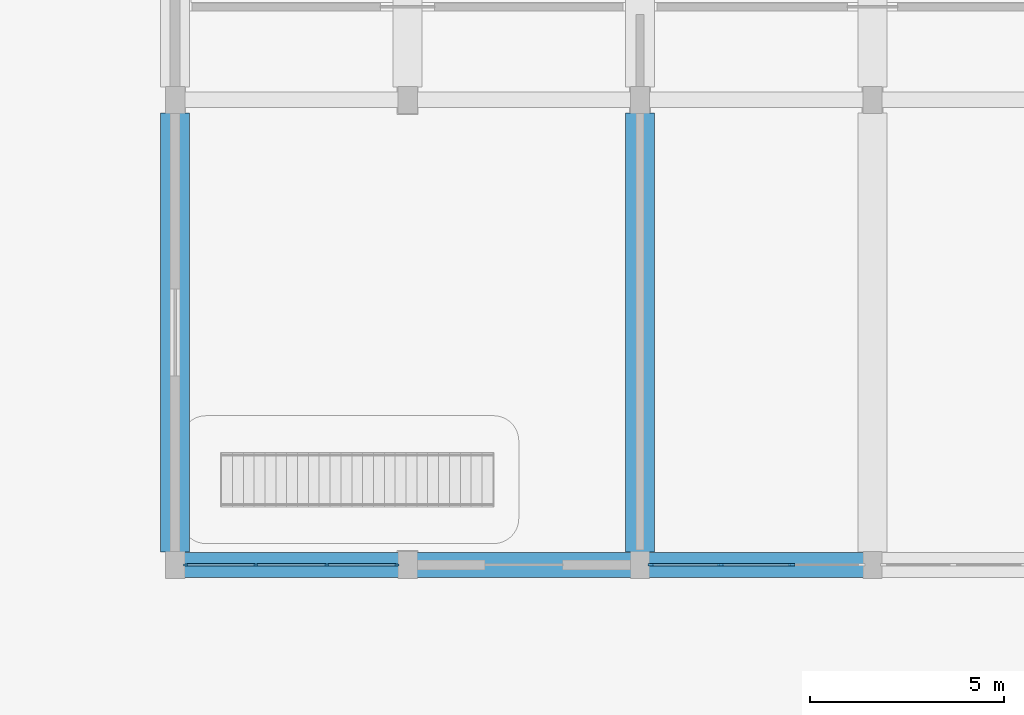
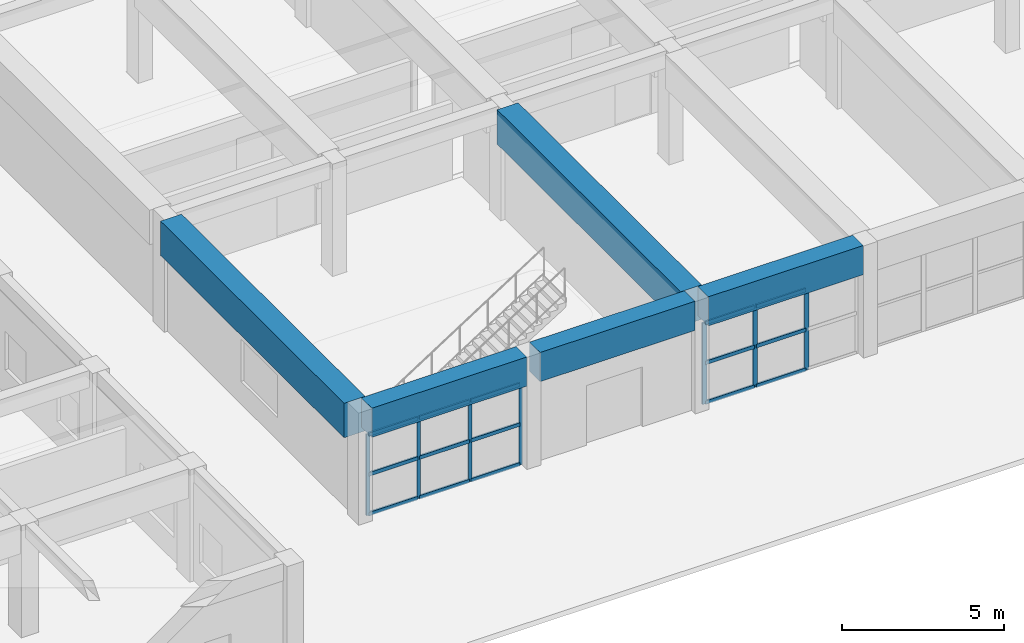
# One storey, part 30 of 76: 22 members, 5 beams, 2 elements without a shape of their own.
"""IFC4 building model written with IfcOpenShell, lengths in metres."""

import ifcopenshell
import ifcopenshell.guid

model = None  # the IFC model being written
_history = None  # IfcOwnerHistory: only IFC2X3 demands one
_inside = {}  # id of a spatial element -> (the spatial element, [elements in it])
_under = {}  # id of a project, library or spatial element -> (it, [spatial elements below it])
_declared = {}  # id of a project -> (the project, [libraries it declares])
_typed = {}  # id of a type object -> (the type object, [elements of that type])
_made_of = {}  # id of a material, layer set ... -> (it, [elements and type objects made of it])


def new_model(schema):
    """Start an empty IFC model of exactly this schema.

    Asked for "IFC4X3", IfcOpenShell would pick the latest addendum, in which some entities
    have other attributes; the version numbers below select the first issue.
    IFC2X3 requires an IfcOwnerHistory on every rooted entity: one is made here for all.
    """
    global model, _history
    if schema == "IFC4X3":
        model = ifcopenshell.file(schema_version=(4, 3, 0, 0))
    else:
        model = ifcopenshell.file(schema=schema)
    _inside.clear()
    _under.clear()
    _declared.clear()
    _typed.clear()
    _made_of.clear()
    _history = None
    if model.schema == "IFC2X3":
        org = make("IfcOrganization", Name="unknown")
        user = make(
            "IfcPersonAndOrganization",
            ThePerson=make("IfcPerson", FamilyName="unknown"),
            TheOrganization=org,
        )
        app = make(
            "IfcApplication",
            ApplicationDeveloper=org,
            Version="unknown",
            ApplicationFullName="unknown",
            ApplicationIdentifier="unknown",
        )
        _history = make(
            "IfcOwnerHistory",
            OwningUser=user,
            OwningApplication=app,
            ChangeAction="ADDED",
            CreationDate=0,
        )
    return model


def make(cls, **values):
    """One entity of the class cls with the attributes given. An attribute that is None is left unset."""
    return model.create_entity(
        cls, **{name: value for name, value in values.items() if value is not None}
    )


def rooted(cls, **values):
    """An entity with a GlobalId (a new one), such as an element, a storey or a relation."""
    return make(cls, GlobalId=ifcopenshell.guid.new(), OwnerHistory=_history, **values)


def si_unit(unit_type, name, prefix=None):
    """IfcSIUnit, for example si_unit("LENGTHUNIT", "METRE", prefix="MILLI")."""
    return make("IfcSIUnit", UnitType=unit_type, Prefix=prefix, Name=name)


def assignment(units):
    """IfcUnitAssignment: the units of a project."""
    return None if units is None else make("IfcUnitAssignment", Units=units)


def point(xyz):
    """IfcCartesianPoint."""
    return None if xyz is None else make("IfcCartesianPoint", Coordinates=xyz)


def direction(xyz):
    """IfcDirection."""
    return None if xyz is None else make("IfcDirection", DirectionRatios=xyz)


def frame(location, z_axis=None, x_axis=None):
    """IfcAxis2Placement3D, a coordinate frame: its origin and axes. An axis left out is left unset."""
    return make(
        "IfcAxis2Placement3D",
        Location=point(location),
        Axis=direction(z_axis),
        RefDirection=direction(x_axis),
    )


def frame_2d(location, x_axis=None):
    """IfcAxis2Placement2D, a coordinate frame in the plane: its origin and x axis."""
    return make(
        "IfcAxis2Placement2D", Location=point(location), RefDirection=direction(x_axis)
    )


def origin():
    """The frame at (0, 0, 0) with its axes left unset."""
    return frame((0.0, 0.0, 0.0))


def origin_2d():
    """The frame at (0, 0) in the plane with its x axis left unset."""
    return frame_2d((0.0, 0.0))


def place(relative_to, where):
    """IfcLocalPlacement: puts the frame where relative to a parent placement (None: the world)."""
    return make(
        "IfcLocalPlacement", PlacementRelTo=relative_to, RelativePlacement=where
    )


def context(
    kind, dimensions, precision=None, world=None, true_north=None, identifier=None
):
    """IfcGeometricRepresentationContext, for example the 3D "Model" context."""
    return make(
        "IfcGeometricRepresentationContext",
        ContextIdentifier=identifier,
        ContextType=kind,
        CoordinateSpaceDimension=dimensions,
        Precision=precision,
        WorldCoordinateSystem=world,
        TrueNorth=true_north,
    )


def subcontext(parent, identifier, kind, view, scale=None):
    """IfcGeometricRepresentationSubContext, for example "Body" below "Model"."""
    return make(
        "IfcGeometricRepresentationSubContext",
        ContextIdentifier=identifier,
        ContextType=kind,
        ParentContext=parent,
        TargetScale=scale,
        TargetView=view,
    )


def project(units=None, contexts=None):
    """IfcProject with its units and contexts."""
    return rooted(
        "IfcProject",
        Name="project",
        RepresentationContexts=contexts,
        UnitsInContext=assignment(units),
    )


def spatial(cls, under=None, at=None, **own):
    """A site, building, storey or space (cls), placed at a placement, below another one or the project."""
    s = rooted(cls, ObjectPlacement=at, **own)
    if under is not None:
        _under.setdefault(under.id(), (under, []))[1].append(s)
    return s


def profile(cls, at=None, kind="AREA", **sizes):
    """A parametric profile (cls). Its sizes go by their IFC names, for example OverallWidth=200.0."""
    return make(cls, ProfileType=kind, Position=at, **sizes)


def rectangle(**sizes):
    """IfcRectangleProfileDef."""
    return profile("IfcRectangleProfileDef", **sizes)


def extrude(swept, where, along, depth):
    """IfcExtrudedAreaSolid: the profile swept, set in the frame where, extruded along a direction by depth."""
    return make(
        "IfcExtrudedAreaSolid",
        SweptArea=swept,
        Position=where,
        ExtrudedDirection=direction(along),
        Depth=depth,
    )


def shape(context_of_items, identifier, shape_type, items):
    """IfcShapeRepresentation: the items that make up one representation, for example the "Body"."""
    return make(
        "IfcShapeRepresentation",
        ContextOfItems=context_of_items,
        RepresentationIdentifier=identifier,
        RepresentationType=shape_type,
        Items=items,
    )


def material(Name=None, Category=None):
    """IfcMaterial."""
    return make("IfcMaterial", Name=Name, Category=Category)


def layer(
    of_material, thickness, ventilated=None, Name=None, Category=None, Priority=None
):
    """IfcMaterialLayer: one layer of a wall or slab, of a material (None: an air gap)."""
    return make(
        "IfcMaterialLayer",
        Material=of_material,
        LayerThickness=thickness,
        IsVentilated=ventilated,
        Name=Name,
        Category=Category,
        Priority=Priority,
    )


def layer_set(layers, Name=None):
    """IfcMaterialLayerSet."""
    return make("IfcMaterialLayerSet", MaterialLayers=layers, LayerSetName=Name)


def material_profile(
    of_material, cross_section, Name=None, Category=None, Priority=None
):
    """IfcMaterialProfile: a cross section and its material."""
    return make(
        "IfcMaterialProfile",
        Name=Name,
        Material=of_material,
        Profile=cross_section,
        Priority=Priority,
        Category=Category,
    )


def profile_set(profiles, Name=None, composite=None):
    """IfcMaterialProfileSet."""
    return make(
        "IfcMaterialProfileSet",
        Name=Name,
        MaterialProfiles=profiles,
        CompositeProfile=composite,
    )


def made_of(thing, what):
    """Note that an element or type object is made of a material, layer set ...; save() writes the relation."""
    if what is not None:
        _made_of.setdefault(what.id(), (what, []))[1].append(thing)
    return thing


def type_object(cls, material=None, **own):
    """A type object (cls), such as IfcWallType, which elements share."""
    return made_of(rooted(cls, **own), material)


def element(
    cls,
    number,
    at=None,
    inside=None,
    cuts=None,
    type_object=None,
    material=None,
    context=None,
    identifier="Body",
    shape_type=None,
    held_by="IfcProductDefinitionShape",
    body=None,
    shapes=None,
    **own,
):
    """One element of the class cls, such as IfcWall. Its Tag is "e" and its number.

    at: its placement. inside: the storey or other place that contains it. cuts: it is an
    opening in that element (IfcRelVoidsElement). A single representation is given by context,
    identifier, shape_type and body (its items); several are given by shapes. held_by: the class
    of the entity that holds the representations. save() writes the other relations.
    """
    e = rooted(cls, Tag="e%d" % number, ObjectPlacement=at, **own)
    if body is not None:
        shapes = [shape(context, identifier, shape_type, body)]
    if shapes is not None:
        e.Representation = make(held_by, Representations=shapes)
    if inside is not None:
        _inside.setdefault(inside.id(), (inside, []))[1].append(e)
    if cuts is not None:
        rooted(
            "IfcRelVoidsElement", RelatingBuildingElement=cuts, RelatedOpeningElement=e
        )
    if type_object is not None:
        _typed.setdefault(type_object.id(), (type_object, []))[1].append(e)
    return made_of(e, material)


def aggregate(whole, parts):
    """IfcRelAggregates: a whole, such as a stair, and the parts it consists of."""
    return rooted("IfcRelAggregates", RelatingObject=whole, RelatedObjects=parts)


def save(model, path):
    """Write the relations noted so far, then the file.

    IfcRelAggregates (storeys below a building ...), IfcRelContainedInSpatialStructure (elements
    in a storey), IfcRelDefinesByType, IfcRelAssociatesMaterial and IfcRelDeclares: one each for
    every whole, place, type object, material and project.
    """
    for whole, parts in _under.values():
        aggregate(whole, parts)
    for where, things in _inside.values():
        rooted(
            "IfcRelContainedInSpatialStructure",
            RelatedElements=things,
            RelatingStructure=where,
        )
    for kind, things in _typed.values():
        rooted("IfcRelDefinesByType", RelatedObjects=things, RelatingType=kind)
    for what, things in _made_of.values():
        rooted("IfcRelAssociatesMaterial", RelatedObjects=things, RelatingMaterial=what)
    for by, libraries in _declared.values():
        rooted("IfcRelDeclares", RelatingContext=by, RelatedDefinitions=libraries)
    model.write(path)


model = new_model("IFC4")

# Units and contexts
model_context = context("Model", 3, precision=1e-05, world=origin(), true_north=direction((0.0, 1.0)))
body_context = subcontext(model_context, "Body", "Model", "MODEL_VIEW")
ifc_project = project(units=[si_unit("LENGTHUNIT", "METRE"), si_unit("AREAUNIT", "SQUARE_METRE"), si_unit("VOLUMEUNIT", "CUBIC_METRE"), si_unit("PLANEANGLEUNIT", "RADIAN"), si_unit("MASSUNIT", "GRAM", prefix="KILO"), si_unit("POWERUNIT", "WATT"), si_unit("THERMODYNAMICTEMPERATUREUNIT", "KELVIN")], contexts=[model_context])

# Site, building, storey
site_placement = place(None, origin())
site = spatial("IfcSite", under=ifc_project, at=site_placement, CompositionType="ELEMENT")
building_placement = place(site_placement, origin())
building = spatial("IfcBuilding", under=site, at=building_placement, Name="Ruvembo Vaulted Housing Court", CompositionType="ELEMENT")
storey_placement = place(building_placement, origin())
storey = spatial("IfcBuildingStorey", under=building, at=storey_placement, Name="L00", CompositionType="ELEMENT", Elevation=0.0)

# Curtain wall, members
ifc_material_1 = material(Name="Anodised Aluminium and Solar-Control Glass", Category="aluminium")
ifc_layer = layer(ifc_material_1, 0.159912109375, Name="Anodised Aluminium and Solar-Control Glass")
ifc_layer_set = layer_set([ifc_layer], Name="Anodised Aluminium and Solar-Control Glass")
curtain_wall_type = type_object("IfcCurtainWallType", Name="CW-SHOPFRONT-S", PredefinedType="NOTDEFINED", material=ifc_layer_set)
curtain_wall_1_placement = place(storey_placement, origin())
curtain_wall_1 = element("IfcCurtainWall", 1, at=curtain_wall_1_placement, inside=storey, type_object=curtain_wall_type, Name="L00 Curtain Wall CW-L00-0139", PredefinedType="NOTDEFINED")
ifc_material_2 = material(Name="Anodised Aluminium 6063-T6", Category="aluminium")
ifc_material_profile_1 = material_profile(ifc_material_2, rectangle(XDim=0.054931640625, YDim=0.1201171875, at=origin_2d()), Name="ALU 55x120")
ifc_profile_set_1 = profile_set([ifc_material_profile_1], Name="Anodised Aluminium 6063-T6")
member_type_1 = type_object("IfcMemberType", Name="CW-MUL-55x120", PredefinedType="MULLION", material=ifc_profile_set_1)
member_1_placement = place(storey_placement, frame((144.277587890625, 6.0, 0.0), z_axis=(0.0, 0.0, 1.0), x_axis=(0.0, 1.0, 0.0)))
member_1 = element("IfcMember", 2, at=member_1_placement, type_object=member_type_1, Name="CW3 mullion 1", PredefinedType="MULLION", context=body_context, shape_type="SweptSolid", body=[
    extrude(rectangle(XDim=0.054931640625, YDim=0.1201171875, at=origin_2d()), origin(), (0.0, 0.0, 1.0), 3.06201171875),
])
member_2_placement = place(storey_placement, frame((146.083251953125, 6.0, 0.0), z_axis=(0.0, 0.0, 1.0), x_axis=(0.0, 1.0, 0.0)))
member_2 = element("IfcMember", 3, at=member_2_placement, type_object=member_type_1, Name="CW3 mullion 2", PredefinedType="MULLION", context=body_context, shape_type="SweptSolid", body=[
    extrude(rectangle(XDim=0.054931640625, YDim=0.1201171875, at=origin_2d()), origin(), (0.0, 0.0, 1.0), 3.06201171875),
])
member_3_placement = place(storey_placement, frame((147.916748046875, 6.0, 0.0), z_axis=(0.0, 0.0, 1.0), x_axis=(0.0, 1.0, 0.0)))
member_3 = element("IfcMember", 4, at=member_3_placement, type_object=member_type_1, Name="CW3 mullion 3", PredefinedType="MULLION", context=body_context, shape_type="SweptSolid", body=[
    extrude(rectangle(XDim=0.054931640625, YDim=0.1201171875, at=origin_2d()), origin(), (0.0, 0.0, 1.0), 3.06201171875),
])
member_4_placement = place(storey_placement, frame((149.722412109375, 6.0, 0.0), z_axis=(0.0, 0.0, 1.0), x_axis=(0.0, 1.0, 0.0)))
member_4 = element("IfcMember", 5, at=member_4_placement, type_object=member_type_1, Name="CW3 mullion 4", PredefinedType="MULLION", context=body_context, shape_type="SweptSolid", body=[
    extrude(rectangle(XDim=0.054931640625, YDim=0.1201171875, at=origin_2d()), origin(), (0.0, 0.0, 1.0), 3.06201171875),
])

curtain_wall_2_placement = place(storey_placement, origin())
curtain_wall_2 = element("IfcCurtainWall", 6, at=curtain_wall_2_placement, inside=storey, type_object=curtain_wall_type, Name="L00 Curtain Wall CW-L00-0145", PredefinedType="NOTDEFINED")
ifc_material_profile_2 = material_profile(ifc_material_2, rectangle(XDim=0.06005859375, YDim=0.159912109375, at=origin_2d()), Name="ALU 60x160")
ifc_profile_set_2 = profile_set([ifc_material_profile_2], Name="Anodised Aluminium 6063-T6")
member_type_2 = type_object("IfcMemberType", Name="CW-MULLION-65x150", PredefinedType="MULLION", material=ifc_profile_set_2)
member_5_placement = place(storey_placement, frame((156.280029296875, 6.0, 0.0), z_axis=(0.0, 0.0, 1.0), x_axis=(0.0, 1.0, 0.0)))
member_5 = element("IfcMember", 7, at=member_5_placement, type_object=member_type_2, Name="CW3 mullion 1", PredefinedType="MULLION", context=body_context, shape_type="SweptSolid", body=[
    extrude(rectangle(XDim=0.06005859375, YDim=0.159912109375, at=origin_2d()), origin(), (0.0, 0.0, 1.0), 3.06201171875),
])
member_6_placement = place(storey_placement, frame((158.083251953125, 6.0, 0.0), z_axis=(0.0, 0.0, 1.0), x_axis=(0.0, 1.0, 0.0)))
member_6 = element("IfcMember", 8, at=member_6_placement, type_object=member_type_2, Name="CW3 mullion 2", PredefinedType="MULLION", context=body_context, shape_type="SweptSolid", body=[
    extrude(rectangle(XDim=0.06005859375, YDim=0.159912109375, at=origin_2d()), origin(), (0.0, 0.0, 1.0), 3.06201171875),
])
member_7_placement = place(storey_placement, frame((159.916748046875, 6.0, 0.0), z_axis=(0.0, 0.0, 1.0), x_axis=(0.0, 1.0, 0.0)))
member_7 = element("IfcMember", 9, at=member_7_placement, type_object=member_type_2, Name="CW3 mullion 3", PredefinedType="MULLION", context=body_context, shape_type="SweptSolid", body=[
    extrude(rectangle(XDim=0.06005859375, YDim=0.159912109375, at=origin_2d()), origin(), (0.0, 0.0, 1.0), 3.06201171875),
])

# Member
ifc_material_profile_3 = material_profile(ifc_material_2, rectangle(XDim=0.06494140625, YDim=0.135009765625, at=origin_2d()), Name="ALU 65x135")
ifc_profile_set_3 = profile_set([ifc_material_profile_3], Name="Anodised Aluminium 6063-T6")
member_type_3 = type_object("IfcMemberType", Name="CW-TRN-65x135", PredefinedType="USERDEFINED", material=ifc_profile_set_3)
member_8_placement = place(storey_placement, frame((144.304931640625, 6.0, 0.032470703125), z_axis=(1.0, 0.0, 0.0), x_axis=(0.0, 1.0, 0.0)))
member_8 = element("IfcMember", 10, at=member_8_placement, type_object=member_type_3, Name="CW3 transom 1.1", ObjectType="TRANSOM", PredefinedType="USERDEFINED", context=body_context, shape_type="SweptSolid", body=[
    extrude(rectangle(XDim=0.06494140625, YDim=0.135009765625, at=origin_2d()), origin(), (0.0, 0.0, 1.0), 1.7509765625),
])

member_9_placement = place(storey_placement, frame((144.304931640625, 6.0, 1.531005859375), z_axis=(1.0, 0.0, 0.0), x_axis=(0.0, 1.0, 0.0)))
member_9 = element("IfcMember", 11, at=member_9_placement, type_object=member_type_3, Name="CW3 transom 1.2", ObjectType="TRANSOM", PredefinedType="USERDEFINED", context=body_context, shape_type="SweptSolid", body=[
    extrude(rectangle(XDim=0.06494140625, YDim=0.135009765625, at=origin_2d()), origin(), (0.0, 0.0, 1.0), 1.7509765625),
])

member_10_placement = place(storey_placement, frame((144.304931640625, 6.0, 3.029541015625), z_axis=(1.0, 0.0, 0.0), x_axis=(0.0, 1.0, 0.0)))
member_10 = element("IfcMember", 12, at=member_10_placement, type_object=member_type_3, Name="CW3 transom 1.3", ObjectType="TRANSOM", PredefinedType="USERDEFINED", context=body_context, shape_type="SweptSolid", body=[
    extrude(rectangle(XDim=0.06494140625, YDim=0.135009765625, at=origin_2d()), origin(), (0.0, 0.0, 1.0), 1.7509765625),
])

member_11_placement = place(storey_placement, frame((146.11083984375, 6.0, 0.032470703125), z_axis=(1.0, 0.0, 0.0), x_axis=(0.0, 1.0, 0.0)))
member_11 = element("IfcMember", 13, at=member_11_placement, type_object=member_type_3, Name="CW3 transom 2.1", ObjectType="TRANSOM", PredefinedType="USERDEFINED", context=body_context, shape_type="SweptSolid", body=[
    extrude(rectangle(XDim=0.06494140625, YDim=0.135009765625, at=origin_2d()), origin(), (0.0, 0.0, 1.0), 1.7783203125),
])

member_12_placement = place(storey_placement, frame((146.11083984375, 6.0, 1.531005859375), z_axis=(1.0, 0.0, 0.0), x_axis=(0.0, 1.0, 0.0)))
member_12 = element("IfcMember", 14, at=member_12_placement, type_object=member_type_3, Name="CW3 transom 2.2", ObjectType="TRANSOM", PredefinedType="USERDEFINED", context=body_context, shape_type="SweptSolid", body=[
    extrude(rectangle(XDim=0.06494140625, YDim=0.135009765625, at=origin_2d()), origin(), (0.0, 0.0, 1.0), 1.7783203125),
])

member_13_placement = place(storey_placement, frame((146.11083984375, 6.0, 3.029541015625), z_axis=(1.0, 0.0, 0.0), x_axis=(0.0, 1.0, 0.0)))
member_13 = element("IfcMember", 15, at=member_13_placement, type_object=member_type_3, Name="CW3 transom 2.3", ObjectType="TRANSOM", PredefinedType="USERDEFINED", context=body_context, shape_type="SweptSolid", body=[
    extrude(rectangle(XDim=0.06494140625, YDim=0.135009765625, at=origin_2d()), origin(), (0.0, 0.0, 1.0), 1.7783203125),
])

member_14_placement = place(storey_placement, frame((147.944091796875, 6.0, 0.032470703125), z_axis=(1.0, 0.0, 0.0), x_axis=(0.0, 1.0, 0.0)))
member_14 = element("IfcMember", 16, at=member_14_placement, type_object=member_type_3, Name="CW3 transom 3.1", ObjectType="TRANSOM", PredefinedType="USERDEFINED", context=body_context, shape_type="SweptSolid", body=[
    extrude(rectangle(XDim=0.06494140625, YDim=0.135009765625, at=origin_2d()), origin(), (0.0, 0.0, 1.0), 1.7509765625),
])

member_15_placement = place(storey_placement, frame((147.944091796875, 6.0, 1.531005859375), z_axis=(1.0, 0.0, 0.0), x_axis=(0.0, 1.0, 0.0)))
member_15 = element("IfcMember", 17, at=member_15_placement, type_object=member_type_3, Name="CW3 transom 3.2", ObjectType="TRANSOM", PredefinedType="USERDEFINED", context=body_context, shape_type="SweptSolid", body=[
    extrude(rectangle(XDim=0.06494140625, YDim=0.135009765625, at=origin_2d()), origin(), (0.0, 0.0, 1.0), 1.7509765625),
])

member_16_placement = place(storey_placement, frame((147.944091796875, 6.0, 3.029541015625), z_axis=(1.0, 0.0, 0.0), x_axis=(0.0, 1.0, 0.0)))
member_16 = element("IfcMember", 18, at=member_16_placement, type_object=member_type_3, Name="CW3 transom 3.3", ObjectType="TRANSOM", PredefinedType="USERDEFINED", context=body_context, shape_type="SweptSolid", body=[
    extrude(rectangle(XDim=0.06494140625, YDim=0.135009765625, at=origin_2d()), origin(), (0.0, 0.0, 1.0), 1.7509765625),
])

aggregate(curtain_wall_1, [member_1, member_2, member_3, member_4, member_8, member_9, member_10, member_11, member_12, member_13, member_14, member_15, member_16])

member_17_placement = place(storey_placement, frame((156.31005859375, 6.0, 0.032470703125), z_axis=(1.0, 0.0, 0.0), x_axis=(0.0, 1.0, 0.0)))
member_17 = element("IfcMember", 19, at=member_17_placement, type_object=member_type_3, Name="CW3 transom 1.1", ObjectType="TRANSOM", PredefinedType="USERDEFINED", context=body_context, shape_type="SweptSolid", body=[
    extrude(rectangle(XDim=0.06494140625, YDim=0.135009765625, at=origin_2d()), origin(), (0.0, 0.0, 1.0), 1.7431640625),
])

member_18_placement = place(storey_placement, frame((156.31005859375, 6.0, 1.531005859375), z_axis=(1.0, 0.0, 0.0), x_axis=(0.0, 1.0, 0.0)))
member_18 = element("IfcMember", 20, at=member_18_placement, type_object=member_type_3, Name="CW3 transom 1.2", ObjectType="TRANSOM", PredefinedType="USERDEFINED", context=body_context, shape_type="SweptSolid", body=[
    extrude(rectangle(XDim=0.06494140625, YDim=0.135009765625, at=origin_2d()), origin(), (0.0, 0.0, 1.0), 1.7431640625),
])

member_19_placement = place(storey_placement, frame((156.31005859375, 6.0, 3.029541015625), z_axis=(1.0, 0.0, 0.0), x_axis=(0.0, 1.0, 0.0)))
member_19 = element("IfcMember", 21, at=member_19_placement, type_object=member_type_3, Name="CW3 transom 1.3", ObjectType="TRANSOM", PredefinedType="USERDEFINED", context=body_context, shape_type="SweptSolid", body=[
    extrude(rectangle(XDim=0.06494140625, YDim=0.135009765625, at=origin_2d()), origin(), (0.0, 0.0, 1.0), 1.7431640625),
])

member_20_placement = place(storey_placement, frame((158.11328125, 6.0, 0.032470703125), z_axis=(1.0, 0.0, 0.0), x_axis=(0.0, 1.0, 0.0)))
member_20 = element("IfcMember", 22, at=member_20_placement, type_object=member_type_3, Name="CW3 transom 2.1", ObjectType="TRANSOM", PredefinedType="USERDEFINED", context=body_context, shape_type="SweptSolid", body=[
    extrude(rectangle(XDim=0.06494140625, YDim=0.135009765625, at=origin_2d()), origin(), (0.0, 0.0, 1.0), 1.7734375),
])

member_21_placement = place(storey_placement, frame((158.11328125, 6.0, 1.531005859375), z_axis=(1.0, 0.0, 0.0), x_axis=(0.0, 1.0, 0.0)))
member_21 = element("IfcMember", 23, at=member_21_placement, type_object=member_type_3, Name="CW3 transom 2.2", ObjectType="TRANSOM", PredefinedType="USERDEFINED", context=body_context, shape_type="SweptSolid", body=[
    extrude(rectangle(XDim=0.06494140625, YDim=0.135009765625, at=origin_2d()), origin(), (0.0, 0.0, 1.0), 1.7734375),
])

member_22_placement = place(storey_placement, frame((158.11328125, 6.0, 3.029541015625), z_axis=(1.0, 0.0, 0.0), x_axis=(0.0, 1.0, 0.0)))
member_22 = element("IfcMember", 24, at=member_22_placement, type_object=member_type_3, Name="CW3 transom 2.3", ObjectType="TRANSOM", PredefinedType="USERDEFINED", context=body_context, shape_type="SweptSolid", body=[
    extrude(rectangle(XDim=0.06494140625, YDim=0.135009765625, at=origin_2d()), origin(), (0.0, 0.0, 1.0), 1.7734375),
])

aggregate(curtain_wall_2, [member_5, member_6, member_7, member_17, member_18, member_19, member_20, member_21, member_22])

# Beams
ifc_material_3 = material(Name="Concrete C40/50", Category="concrete")
ifc_material_profile_4 = material_profile(ifc_material_3, rectangle(XDim=0.64990234375, YDim=1.10009765625, at=origin_2d()), Name="RC 650x1100")
ifc_profile_set_4 = profile_set([ifc_material_profile_4], Name="Concrete C40/50")
beam_type_1 = type_object("IfcBeamType", Name="TB-RC-650x1100", PredefinedType="BEAM", material=ifc_profile_set_4)
for number, where, z_axis, x_axis, name in (
    (25, (144.235107421875, 6.0, 3.679931640625), (1.0, 0.0, 0.0), (0.0, 1.0, 0.0), "L00 Grid Beam X #752"),
    (26, (150.235107421875, 6.0, 3.679931640625), (1.0, 0.0, 0.0), (0.0, 1.0, 0.0), "L00 Grid Beam X #753"),
    (27, (156.235107421875, 6.0, 3.679931640625), (1.0, 0.0, 0.0), (0.0, 1.0, 0.0), "L00 Grid Beam X #754"),
):
    element("IfcBeam", number, at=place(storey_placement, frame(where, z_axis=z_axis, x_axis=x_axis)), inside=storey, type_object=beam_type_1, Name=name, PredefinedType="BEAM", context=body_context, shape_type="SweptSolid", body=[
        extrude(rectangle(XDim=0.64990234375, YDim=1.10009765625, at=origin_2d()), origin(), (0.0, 0.0, 1.0), 5.52978515625),
    ])
ifc_material_profile_5 = material_profile(ifc_material_3, rectangle(XDim=0.75, YDim=1.300048828125, at=origin_2d()), Name="RC 750x1300")
ifc_profile_set_5 = profile_set([ifc_material_profile_5], Name="Concrete C40/50")
beam_type_2 = type_object("IfcBeamType", Name="TB-RC-750x1300", PredefinedType="BEAM", material=ifc_profile_set_5)
for number, where, z_axis, x_axis, name in (
    (28, (144.0, 6.3349609375, 3.580078125), (0.0, 1.0, 0.0), (-1.0, 0.0, 0.0), "L00 Grid Beam Y #1074"),
    (29, (156.0, 6.3349609375, 3.580078125), (0.0, 1.0, 0.0), (-1.0, 0.0, 0.0), "L00 Grid Beam Y #1085"),
):
    element("IfcBeam", number, at=place(storey_placement, frame(where, z_axis=z_axis, x_axis=x_axis)), inside=storey, type_object=beam_type_2, Name=name, PredefinedType="BEAM", context=body_context, shape_type="SweptSolid", body=[
        extrude(rectangle(XDim=0.75, YDim=1.300048828125, at=origin_2d()), origin(), (0.0, 0.0, 1.0), 11.330078125),
    ])

save(model, "model.ifc")
